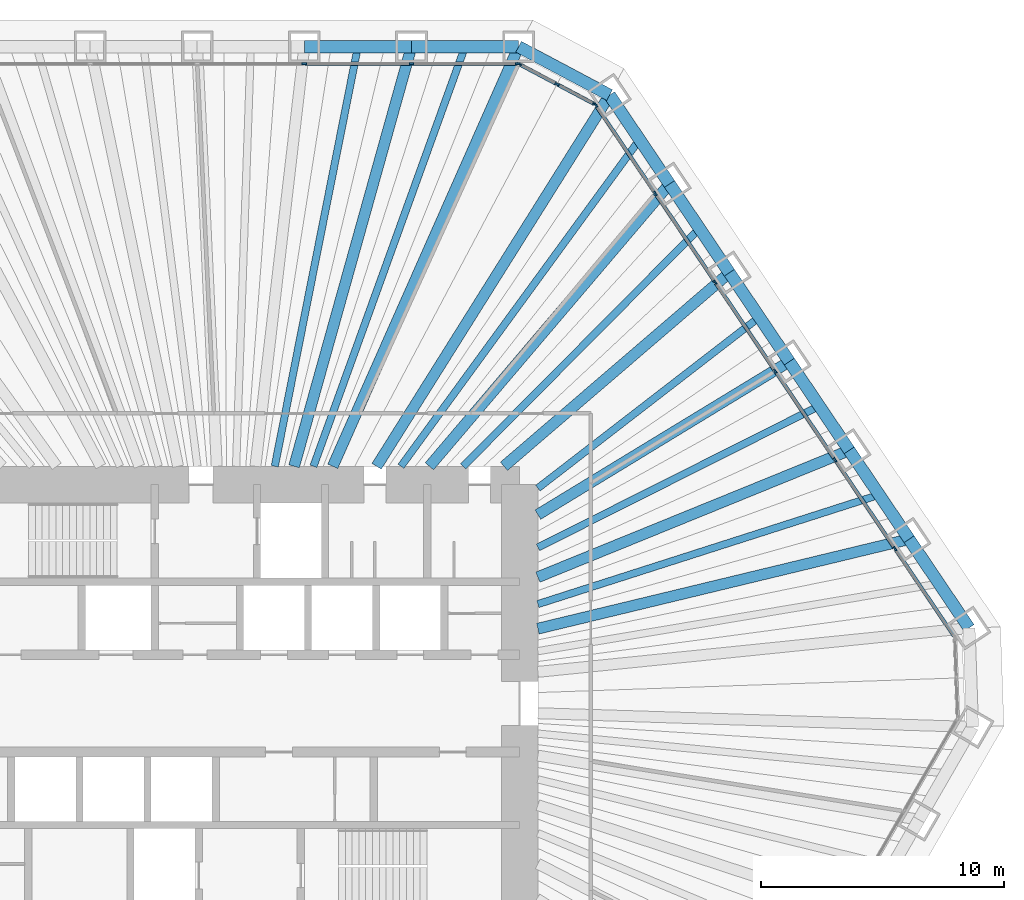
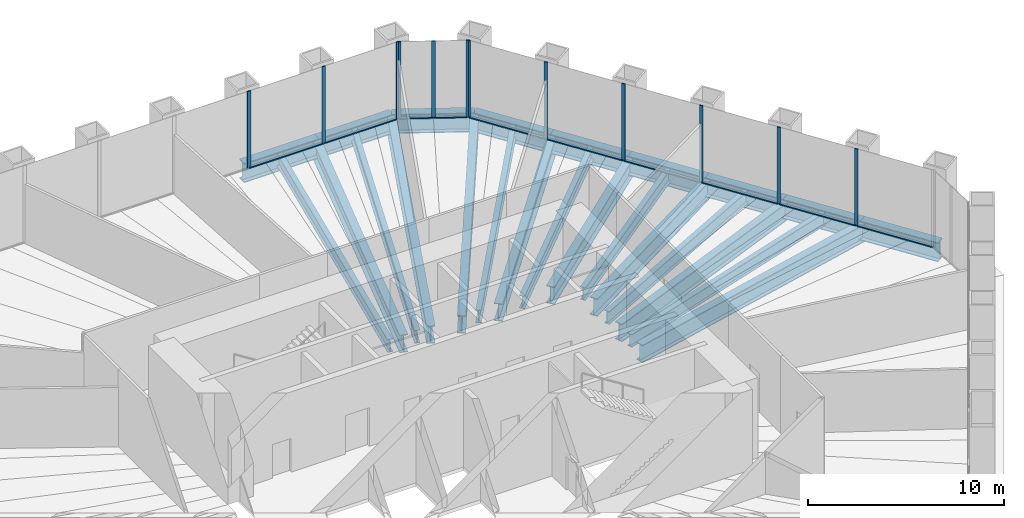
# One storey, part 7 of 14: 24 beams, 22 members, 3 elements without a shape of their own.
"""IFC4 building model written with IfcOpenShell, lengths in metres."""

from ifc_helpers import new_model, si_unit, direction, frame, origin, origin_2d, place, context, subcontext, project, spatial, rectangle, i_section, extrude, material, material_profile, profile_set, type_object, element, aggregate, save


model = new_model("IFC4")

# Units and contexts
model_context = context("Model", 3, precision=1e-05, world=origin(), true_north=direction((0.0, 1.0)))
body_context = subcontext(model_context, "Body", "Model", "MODEL_VIEW")
ifc_project = project(units=[si_unit("LENGTHUNIT", "METRE"), si_unit("AREAUNIT", "SQUARE_METRE"), si_unit("VOLUMEUNIT", "CUBIC_METRE"), si_unit("PLANEANGLEUNIT", "RADIAN"), si_unit("MASSUNIT", "GRAM", prefix="KILO")], contexts=[model_context])

# Site, building, storey
site_placement = place(None, origin())
site = spatial("IfcSite", under=ifc_project, at=site_placement, CompositionType="ELEMENT")
building_placement = place(site_placement, origin())
building = spatial("IfcBuilding", under=site, at=building_placement, Name="Qingtian Harvest Tower", CompositionType="ELEMENT")
storey_placement = place(building_placement, frame((0.0, 0.0, 57.0)))
storey = spatial("IfcBuildingStorey", under=building, at=storey_placement, Name="L11", CompositionType="ELEMENT", Elevation=57.0)

# Beams
ifc_material_1 = material(Name="Steel SM570MC", Category="steel")
ifc_material_profile_1 = material_profile(ifc_material_1, i_section(OverallWidth=0.449951171875, OverallDepth=1.10009765625, WebThickness=0.02197265625, FlangeThickness=0.044921875, at=origin_2d()), Name="H1100x450x22x45")
ifc_profile_set_1 = profile_set([ifc_material_profile_1], Name="Steel SM570MC")
beam_type_1 = type_object("IfcBeamType", Name="Corner floor beam FB8 H1100x450x22x45", PredefinedType="BEAM", material=ifc_profile_set_1)
beam_1_placement = place(storey_placement, frame((11.9560546875, 27.0, -0.75), z_axis=(-0.404898955654, -0.914361436036, 0.0), x_axis=(0.914361436036, -0.404898955654, 0.0)))
element("IfcBeam", 1, at=beam_1_placement, inside=storey, type_object=beam_type_1, Name="Floor beam FB8 N6", PredefinedType="BEAM", context=body_context, shape_type="SweptSolid", body=[
    extrude(i_section(OverallWidth=0.449951171875, OverallDepth=1.10009765625, WebThickness=0.02197265625, FlangeThickness=0.044921875, at=origin_2d()), origin(), (0.0, 0.0, 1.0), 18.86572265625),
])
beam_2_placement = place(storey_placement, frame((15.6982421875, 25.01025390625, -0.75), z_axis=(-0.531622796942, -0.846981228701, 0.0), x_axis=(0.846981228701, -0.531622796942, 0.0)))
element("IfcBeam", 2, at=beam_2_placement, inside=storey, type_object=beam_type_1, Name="Floor beam FB8 NE0", PredefinedType="BEAM", context=body_context, shape_type="SweptSolid", body=[
    extrude(i_section(OverallWidth=0.449951171875, OverallDepth=1.10009765625, WebThickness=0.02197265625, FlangeThickness=0.044921875, at=origin_2d()), origin(), (0.0, 0.0, 1.0), 18.017333984375),
])
ifc_material_2 = material(Name="Steel SM570MC", Category="steel")
ifc_material_profile_2 = material_profile(ifc_material_2, i_section(OverallWidth=0.449951171875, OverallDepth=1.10009765625, WebThickness=0.02197265625, FlangeThickness=0.044921875, at=origin_2d()), Name="H1100x450x22x45")
ifc_profile_set_2 = profile_set([ifc_material_profile_2], Name="Steel SM570MC")
beam_type_2 = type_object("IfcBeamType", Name="Floor beam FB1 H1100x450x22x45", PredefinedType="BEAM", material=ifc_profile_set_2)
beam_3_placement = place(storey_placement, frame((7.551513671875, 27.0, -0.75), z_axis=(-0.269343258019, -0.963044240604, 0.0), x_axis=(0.963044240604, -0.269343258019, 0.0)))
element("IfcBeam", 3, at=beam_3_placement, inside=storey, type_object=beam_type_2, Name="Floor beam FB1 N5", PredefinedType="BEAM", context=body_context, shape_type="SweptSolid", body=[
    extrude(i_section(OverallWidth=0.449951171875, OverallDepth=1.10009765625, WebThickness=0.02197265625, FlangeThickness=0.044921875, at=origin_2d()), origin(), (0.0, 0.0, 1.0), 17.911865234375),
])
beam_4_placement = place(storey_placement, frame((18.1611328125, 21.358642578125, -0.75), z_axis=(-0.647781887327, -0.761825850474, 0.0), x_axis=(0.761825850474, -0.647781887327, 0.0)))
element("IfcBeam", 4, at=beam_4_placement, inside=storey, type_object=beam_type_2, Name="Floor beam FB1 NE1", PredefinedType="BEAM", context=body_context, shape_type="SweptSolid", body=[
    extrude(i_section(OverallWidth=0.449951171875, OverallDepth=1.10009765625, WebThickness=0.02197265625, FlangeThickness=0.044921875, at=origin_2d()), origin(), (0.0, 0.0, 1.0), 15.238037109375),
])
beam_5_placement = place(storey_placement, frame((20.624267578125, 17.70703125, -0.75), z_axis=(-0.75873153072, -0.651403457384, 0.0), x_axis=(0.651403457384, -0.75873153072, 0.0)))
element("IfcBeam", 5, at=beam_5_placement, inside=storey, type_object=beam_type_2, Name="Floor beam FB1 NE2", PredefinedType="BEAM", context=body_context, shape_type="SweptSolid", body=[
    extrude(i_section(OverallWidth=0.449951171875, OverallDepth=1.10009765625, WebThickness=0.02197265625, FlangeThickness=0.044921875, at=origin_2d()), origin(), (0.0, 0.0, 1.0), 12.21533203125),
])
beam_6_placement = place(storey_placement, frame((23.08740234375, 14.0556640625, -0.75), z_axis=(-0.854157261259, -0.520014781558, 0.0), x_axis=(0.520014781558, -0.854157261259, 0.0)))
element("IfcBeam", 6, at=beam_6_placement, inside=storey, type_object=beam_type_2, Name="Floor beam FB1 NE3", PredefinedType="BEAM", context=body_context, shape_type="SweptSolid", body=[
    extrude(i_section(OverallWidth=0.449951171875, OverallDepth=1.10009765625, WebThickness=0.02197265625, FlangeThickness=0.044921875, at=origin_2d()), origin(), (0.0, 0.0, 1.0), 12.1025390625),
])
beam_7_placement = place(storey_placement, frame((25.55029296875, 10.404052734375, -0.75), z_axis=(-0.926156354735, -0.37713977062, 0.0), x_axis=(0.37713977062, -0.926156354735, 0.0)))
element("IfcBeam", 7, at=beam_7_placement, inside=storey, type_object=beam_type_2, Name="Floor beam FB1 NE4", PredefinedType="BEAM", context=body_context, shape_type="SweptSolid", body=[
    extrude(i_section(OverallWidth=0.449951171875, OverallDepth=1.10009765625, WebThickness=0.02197265625, FlangeThickness=0.044921875, at=origin_2d()), origin(), (0.0, 0.0, 1.0), 13.82080078125),
])
beam_8_placement = place(storey_placement, frame((28.013427734375, 6.75244140625, -0.75), z_axis=(-0.972155908389, -0.234334994792, 0.0), x_axis=(0.234334994792, -0.972155908389, 0.0)))
element("IfcBeam", 8, at=beam_8_placement, inside=storey, type_object=beam_type_2, Name="Floor beam FB1 NE5", PredefinedType="BEAM", context=body_context, shape_type="SweptSolid", body=[
    extrude(i_section(OverallWidth=0.449951171875, OverallDepth=1.10009765625, WebThickness=0.02197265625, FlangeThickness=0.044921875, at=origin_2d()), origin(), (0.0, 0.0, 1.0), 15.70068359375),
])
ifc_material_3 = material(Name="Steel SN490B", Category="steel")
ifc_material_profile_3 = material_profile(ifc_material_3, i_section(OverallWidth=0.300048828125, OverallDepth=0.800048828125, WebThickness=0.013916015625, FlangeThickness=0.02587890625, at=origin_2d()), Name="H800x300x14x26")
ifc_profile_set_3 = profile_set([ifc_material_profile_3], Name="Steel SN490B")
beam_type_3 = type_object("IfcBeamType", Name="Floor joist J1 H800x300x14x26", PredefinedType="JOIST", material=ifc_profile_set_3)
beam_9_placement = place(storey_placement, frame((5.349365234375, 27.0, -0.60009765625), z_axis=(-0.19435104803, -0.980932041545, 0.0), x_axis=(0.980932041545, -0.19435104803, 0.0)))
element("IfcBeam", 9, at=beam_9_placement, inside=storey, type_object=beam_type_3, Name="Floor joist J1 N4", PredefinedType="JOIST", context=body_context, shape_type="SweptSolid", body=[
    extrude(i_section(OverallWidth=0.300048828125, OverallDepth=0.800048828125, WebThickness=0.013916015625, FlangeThickness=0.02587890625, at=origin_2d()), origin(), (0.0, 0.0, 1.0), 17.585205078125),
])
beam_10_placement = place(storey_placement, frame((9.75390625, 27.0, -0.60009765625), z_axis=(-0.339766141765, -0.940509951521, 0.0), x_axis=(0.940509951521, -0.339766141765, 0.0)))
element("IfcBeam", 10, at=beam_10_placement, inside=storey, type_object=beam_type_3, Name="Floor joist J1 N5", PredefinedType="JOIST", context=body_context, shape_type="SweptSolid", body=[
    extrude(i_section(OverallWidth=0.300048828125, OverallDepth=0.800048828125, WebThickness=0.013916015625, FlangeThickness=0.02587890625, at=origin_2d()), origin(), (0.0, 0.0, 1.0), 18.341064453125),
])
beam_11_placement = place(storey_placement, frame((16.9296875, 23.1845703125, -0.60009765625), z_axis=(-0.589722175422, -0.80760618857, 0.0), x_axis=(0.80760618857, -0.589722175422, 0.0)))
element("IfcBeam", 11, at=beam_11_placement, inside=storey, type_object=beam_type_3, Name="Floor joist J1 NE0", PredefinedType="JOIST", context=body_context, shape_type="SweptSolid", body=[
    extrude(i_section(OverallWidth=0.300048828125, OverallDepth=0.800048828125, WebThickness=0.013916015625, FlangeThickness=0.02587890625, at=origin_2d()), origin(), (0.0, 0.0, 1.0), 16.635009765625),
])
beam_12_placement = place(storey_placement, frame((19.392822265625, 19.532958984375, -0.60009765625), z_axis=(-0.704560879039, -0.709643549768, 0.0), x_axis=(0.709643549768, -0.704560879039, 0.0)))
element("IfcBeam", 12, at=beam_12_placement, inside=storey, type_object=beam_type_3, Name="Floor joist J1 NE1", PredefinedType="JOIST", context=body_context, shape_type="SweptSolid", body=[
    extrude(i_section(OverallWidth=0.300048828125, OverallDepth=0.800048828125, WebThickness=0.013916015625, FlangeThickness=0.02587890625, at=origin_2d()), origin(), (0.0, 0.0, 1.0), 13.78564453125),
])
beam_13_placement = place(storey_placement, frame((21.855712890625, 15.88134765625, -0.60009765625), z_axis=(-0.79149450594, -0.611176281499, 0.0), x_axis=(0.611176281499, -0.79149450594, 0.0)))
element("IfcBeam", 13, at=beam_13_placement, inside=storey, type_object=beam_type_3, Name="Floor joist J1 NE2", PredefinedType="JOIST", context=body_context, shape_type="SweptSolid", body=[
    extrude(i_section(OverallWidth=0.300048828125, OverallDepth=0.800048828125, WebThickness=0.013916015625, FlangeThickness=0.02587890625, at=origin_2d()), origin(), (0.0, 0.0, 1.0), 11.50439453125),
])
beam_14_placement = place(storey_placement, frame((24.31884765625, 12.229736328125, -0.60009765625), z_axis=(-0.893391632689, -0.449278744924, 0.0), x_axis=(0.449278744924, -0.893391632689, 0.0)))
element("IfcBeam", 14, at=beam_14_placement, inside=storey, type_object=beam_type_3, Name="Floor joist J1 NE3", PredefinedType="JOIST", context=body_context, shape_type="SweptSolid", body=[
    extrude(i_section(OverallWidth=0.300048828125, OverallDepth=0.800048828125, WebThickness=0.013916015625, FlangeThickness=0.02587890625, at=origin_2d()), origin(), (0.0, 0.0, 1.0), 12.949462890625),
])
beam_15_placement = place(storey_placement, frame((26.78173828125, 8.578125, -0.60009765625), z_axis=(-0.952340804978, -0.305036048976, 0.0), x_axis=(0.305036048976, -0.952340804978, 0.0)))
element("IfcBeam", 15, at=beam_15_placement, inside=storey, type_object=beam_type_3, Name="Floor joist J1 NE4", PredefinedType="JOIST", context=body_context, shape_type="SweptSolid", body=[
    extrude(i_section(OverallWidth=0.300048828125, OverallDepth=0.800048828125, WebThickness=0.013916015625, FlangeThickness=0.02587890625, at=origin_2d()), origin(), (0.0, 0.0, 1.0), 14.73388671875),
])

# Curtain wall, members
ifc_material_4 = material(Name="Bronze-anodised aluminium curtain wall", Category="aluminium")
curtain_wall_type = type_object("IfcCurtainWallType", Name="Curtain wall CW2 farm reception", PredefinedType="USERDEFINED", material=ifc_material_4)
curtain_wall_1_placement = place(storey_placement, origin())
curtain_wall_1 = element("IfcCurtainWall", 16, at=curtain_wall_1_placement, inside=storey, type_object=curtain_wall_type, Name="Curtain wall CW2 L11 N0-5", ObjectType="RECESSED CURTAIN WALL", PredefinedType="USERDEFINED")
ifc_material_5 = material(Name="Bronze-anodised aluminium mullion", Category="aluminium")
ifc_material_profile_4 = material_profile(ifc_material_5, rectangle(XDim=0.06494140625, YDim=0.199951171875, at=origin_2d()), Name="AL 65x200")
ifc_profile_set_4 = profile_set([ifc_material_profile_4], Name="Bronze-anodised aluminium mullion")
member_type_1 = type_object("IfcMemberType", Name="Mullion CWM 65x200", PredefinedType="MULLION", material=ifc_profile_set_4)
member_1_placement = place(storey_placement, frame((3.14697265625, 26.300048828125, 0.0), z_axis=(0.0, 0.0, 1.0), x_axis=(0.0, 1.0, 0.0)))
member_1 = element("IfcMember", 17, at=member_1_placement, type_object=member_type_1, Name="CW2 mullion 5", PredefinedType="MULLION", context=body_context, shape_type="SweptSolid", body=[
    extrude(rectangle(XDim=0.06494140625, YDim=0.199951171875, at=origin_2d()), origin(), (0.0, 0.0, 1.0), 4.800048828125),
])
member_2_placement = place(storey_placement, frame((7.551513671875, 26.300048828125, 0.0), z_axis=(0.0, 0.0, 1.0), x_axis=(0.0, 1.0, 0.0)))
member_2 = element("IfcMember", 18, at=member_2_placement, type_object=member_type_1, Name="CW2 mullion 6", PredefinedType="MULLION", context=body_context, shape_type="SweptSolid", body=[
    extrude(rectangle(XDim=0.06494140625, YDim=0.199951171875, at=origin_2d()), origin(), (0.0, 0.0, 1.0), 4.800048828125),
])
member_3_placement = place(storey_placement, frame((11.923583984375, 26.300048828125, 0.0), z_axis=(0.0, 0.0, 1.0), x_axis=(0.0, 1.0, 0.0)))
member_3 = element("IfcMember", 19, at=member_3_placement, type_object=member_type_1, Name="CW2 mullion 7", PredefinedType="MULLION", context=body_context, shape_type="SweptSolid", body=[
    extrude(rectangle(XDim=0.06494140625, YDim=0.199951171875, at=origin_2d()), origin(), (0.0, 0.0, 1.0), 4.800048828125),
])

curtain_wall_2_placement = place(storey_placement, origin())
curtain_wall_2 = element("IfcCurtainWall", 20, at=curtain_wall_2_placement, inside=storey, type_object=curtain_wall_type, Name="Curtain wall CW2 L11 NC", ObjectType="RECESSED CURTAIN WALL", PredefinedType="USERDEFINED")
member_4_placement = place(storey_placement, frame((11.98486328125, 26.28466796875, 0.0), z_axis=(0.0, 0.0, 1.0), x_axis=(0.469471562786, 0.882947592859, 0.0)))
member_4 = element("IfcMember", 21, at=member_4_placement, type_object=member_type_1, Name="CW2 mullion 1", PredefinedType="MULLION", context=body_context, shape_type="SweptSolid", body=[
    extrude(rectangle(XDim=0.06494140625, YDim=0.199951171875, at=origin_2d()), origin(), (0.0, 0.0, 1.0), 4.800048828125),
])
member_5_placement = place(storey_placement, frame((13.537109375, 25.45947265625, 0.0), z_axis=(0.0, 0.0, 1.0), x_axis=(0.469471562786, 0.882947592859, 0.0)))
member_5 = element("IfcMember", 22, at=member_5_placement, type_object=member_type_1, Name="CW2 mullion 2", PredefinedType="MULLION", context=body_context, shape_type="SweptSolid", body=[
    extrude(rectangle(XDim=0.06494140625, YDim=0.199951171875, at=origin_2d()), origin(), (0.0, 0.0, 1.0), 4.800048828125),
])
member_6_placement = place(storey_placement, frame((15.089111328125, 24.634033203125, 0.0), z_axis=(0.0, 0.0, 1.0), x_axis=(0.469471562786, 0.882947592859, 0.0)))
member_6 = element("IfcMember", 23, at=member_6_placement, type_object=member_type_1, Name="CW2 mullion 3", PredefinedType="MULLION", context=body_context, shape_type="SweptSolid", body=[
    extrude(rectangle(XDim=0.06494140625, YDim=0.199951171875, at=origin_2d()), origin(), (0.0, 0.0, 1.0), 4.800048828125),
])

curtain_wall_3_placement = place(storey_placement, origin())
curtain_wall_3 = element("IfcCurtainWall", 24, at=curtain_wall_3_placement, inside=storey, type_object=curtain_wall_type, Name="Curtain wall CW2 L11 NE0-5", ObjectType="RECESSED CURTAIN WALL", PredefinedType="USERDEFINED")
member_7_placement = place(storey_placement, frame((15.135986328125, 24.592041015625, 0.0), z_axis=(0.0, 0.0, 1.0), x_axis=(0.829037572555, 0.559192903471, 0.0)))
member_7 = element("IfcMember", 25, at=member_7_placement, type_object=member_type_1, Name="CW2 mullion 1", PredefinedType="MULLION", context=body_context, shape_type="SweptSolid", body=[
    extrude(rectangle(XDim=0.06494140625, YDim=0.199951171875, at=origin_2d()), origin(), (0.0, 0.0, 1.0), 4.800048828125),
])
member_8_placement = place(storey_placement, frame((17.580810546875, 20.96728515625, 0.0), z_axis=(0.0, 0.0, 1.0), x_axis=(0.829037572555, 0.559192903471, 0.0)))
member_8 = element("IfcMember", 26, at=member_8_placement, type_object=member_type_1, Name="CW2 mullion 2", PredefinedType="MULLION", context=body_context, shape_type="SweptSolid", body=[
    extrude(rectangle(XDim=0.06494140625, YDim=0.199951171875, at=origin_2d()), origin(), (0.0, 0.0, 1.0), 4.800048828125),
])
member_9_placement = place(storey_placement, frame((20.0439453125, 17.315673828125, 0.0), z_axis=(0.0, 0.0, 1.0), x_axis=(0.829037572555, 0.559192903471, 0.0)))
member_9 = element("IfcMember", 27, at=member_9_placement, type_object=member_type_1, Name="CW2 mullion 3", PredefinedType="MULLION", context=body_context, shape_type="SweptSolid", body=[
    extrude(rectangle(XDim=0.06494140625, YDim=0.199951171875, at=origin_2d()), origin(), (0.0, 0.0, 1.0), 4.800048828125),
])
member_10_placement = place(storey_placement, frame((22.507080078125, 13.6640625, 0.0), z_axis=(0.0, 0.0, 1.0), x_axis=(0.829037572555, 0.559192903471, 0.0)))
member_10 = element("IfcMember", 28, at=member_10_placement, type_object=member_type_1, Name="CW2 mullion 4", PredefinedType="MULLION", context=body_context, shape_type="SweptSolid", body=[
    extrude(rectangle(XDim=0.06494140625, YDim=0.199951171875, at=origin_2d()), origin(), (0.0, 0.0, 1.0), 4.800048828125),
])
member_11_placement = place(storey_placement, frame((24.969970703125, 10.012451171875, 0.0), z_axis=(0.0, 0.0, 1.0), x_axis=(0.829037572555, 0.559192903471, 0.0)))
member_11 = element("IfcMember", 29, at=member_11_placement, type_object=member_type_1, Name="CW2 mullion 5", PredefinedType="MULLION", context=body_context, shape_type="SweptSolid", body=[
    extrude(rectangle(XDim=0.06494140625, YDim=0.199951171875, at=origin_2d()), origin(), (0.0, 0.0, 1.0), 4.800048828125),
])
member_12_placement = place(storey_placement, frame((27.43310546875, 6.36083984375, 0.0), z_axis=(0.0, 0.0, 1.0), x_axis=(0.829037572555, 0.559192903471, 0.0)))
member_12 = element("IfcMember", 30, at=member_12_placement, type_object=member_type_1, Name="CW2 mullion 6", PredefinedType="MULLION", context=body_context, shape_type="SweptSolid", body=[
    extrude(rectangle(XDim=0.06494140625, YDim=0.199951171875, at=origin_2d()), origin(), (0.0, 0.0, 1.0), 4.800048828125),
])

# Beams
ifc_material_6 = material(Name="Steel SM570MC", Category="steel")
ifc_material_profile_5 = material_profile(ifc_material_6, i_section(OverallWidth=0.5, OverallDepth=1.199951171875, WebThickness=0.02490234375, FlangeThickness=0.050048828125, at=origin_2d()), Name="H1200x500x25x50")
ifc_profile_set_5 = profile_set([ifc_material_profile_5], Name="Steel SM570MC")
beam_type_4 = type_object("IfcBeamType", Name="Spandrel beam SB1 H1200x500x25x50", PredefinedType="SPANDREL", material=ifc_profile_set_5)
for number, where, z_axis, x_axis, name in (
    (31, (3.14697265625, 27.0, -0.60009765625), (1.0, 0.0, 0.0), (0.0, 1.0, 0.0), "Spandrel SB1 N4"),
    (32, (7.551513671875, 27.0, -0.60009765625), (1.0, 0.0, 0.0), (0.0, 1.0, 0.0), "Spandrel SB1 N5"),
):
    element("IfcBeam", number, at=place(storey_placement, frame(where, z_axis=z_axis, x_axis=x_axis)), inside=storey, type_object=beam_type_4, Name=name, PredefinedType="SPANDREL", context=body_context, shape_type="SweptSolid", body=[
        extrude(i_section(OverallWidth=0.5, OverallDepth=1.199951171875, WebThickness=0.02490234375, FlangeThickness=0.050048828125, at=origin_2d()), origin(), (0.0, 0.0, 1.0), 4.404541015625),
    ])
beam_16_placement = place(storey_placement, frame((11.9560546875, 27.0, -0.60009765625), z_axis=(0.882948599748, -0.469469669099, 0.0), x_axis=(0.469469669099, 0.882948599748, 0.0)))
element("IfcBeam", 33, at=beam_16_placement, inside=storey, type_object=beam_type_4, Name="Spandrel SB1 NC", PredefinedType="SPANDREL", context=body_context, shape_type="SweptSolid", body=[
    extrude(i_section(OverallWidth=0.5, OverallDepth=1.199951171875, WebThickness=0.02490234375, FlangeThickness=0.050048828125, at=origin_2d()), origin(), (0.0, 0.0, 1.0), 4.23828125),
])
beam_17_placement = place(storey_placement, frame((15.6982421875, 25.01025390625, -0.60009765625), z_axis=(0.559169135272, -0.829053603912, 0.0), x_axis=(0.829053603912, 0.559169135272, 0.0)))
element("IfcBeam", 34, at=beam_17_placement, inside=storey, type_object=beam_type_4, Name="Spandrel SB1 NE0", PredefinedType="SPANDREL", context=body_context, shape_type="SweptSolid", body=[
    extrude(i_section(OverallWidth=0.5, OverallDepth=1.199951171875, WebThickness=0.02490234375, FlangeThickness=0.050048828125, at=origin_2d()), origin(), (0.0, 0.0, 1.0), 4.404541015625),
])
beam_18_placement = place(storey_placement, frame((18.1611328125, 21.358642578125, -0.60009765625), z_axis=(0.559207231603, -0.829027907928, 0.0), x_axis=(0.829027907928, 0.559207231603, 0.0)))
element("IfcBeam", 35, at=beam_18_placement, inside=storey, type_object=beam_type_4, Name="Spandrel SB1 NE1", PredefinedType="SPANDREL", context=body_context, shape_type="SweptSolid", body=[
    extrude(i_section(OverallWidth=0.5, OverallDepth=1.199951171875, WebThickness=0.02490234375, FlangeThickness=0.050048828125, at=origin_2d()), origin(), (0.0, 0.0, 1.0), 4.40478515625),
])
for number, where, z_axis, x_axis, name in (
    (36, (20.624267578125, 17.70703125, -0.60009765625), (0.559232928578, -0.829010573874, 0.0), (0.829010573874, 0.559232928578, 0.0), "Spandrel SB1 NE2"),
    (37, (23.08740234375, 14.0556640625, -0.60009765625), (0.559169135272, -0.829053603912, 0.0), (0.829053603912, 0.559169135272, 0.0), "Spandrel SB1 NE3"),
):
    element("IfcBeam", number, at=place(storey_placement, frame(where, z_axis=z_axis, x_axis=x_axis)), inside=storey, type_object=beam_type_4, Name=name, PredefinedType="SPANDREL", context=body_context, shape_type="SweptSolid", body=[
        extrude(i_section(OverallWidth=0.5, OverallDepth=1.199951171875, WebThickness=0.02490234375, FlangeThickness=0.050048828125, at=origin_2d()), origin(), (0.0, 0.0, 1.0), 4.404541015625),
    ])
beam_19_placement = place(storey_placement, frame((25.55029296875, 10.404052734375, -0.60009765625), z_axis=(0.559207231603, -0.829027907928, 0.0), x_axis=(0.829027907928, 0.559207231603, 0.0)))
element("IfcBeam", 38, at=beam_19_placement, inside=storey, type_object=beam_type_4, Name="Spandrel SB1 NE4", PredefinedType="SPANDREL", context=body_context, shape_type="SweptSolid", body=[
    extrude(i_section(OverallWidth=0.5, OverallDepth=1.199951171875, WebThickness=0.02490234375, FlangeThickness=0.050048828125, at=origin_2d()), origin(), (0.0, 0.0, 1.0), 4.40478515625),
])
beam_20_placement = place(storey_placement, frame((28.013427734375, 6.75244140625, -0.60009765625), z_axis=(0.559169135272, -0.829053603912, 0.0), x_axis=(0.829053603912, 0.559169135272, 0.0)))
element("IfcBeam", 39, at=beam_20_placement, inside=storey, type_object=beam_type_4, Name="Spandrel SB1 NE5", PredefinedType="SPANDREL", context=body_context, shape_type="SweptSolid", body=[
    extrude(i_section(OverallWidth=0.5, OverallDepth=1.199951171875, WebThickness=0.02490234375, FlangeThickness=0.050048828125, at=origin_2d()), origin(), (0.0, 0.0, 1.0), 4.404541015625),
])

# Member
ifc_material_7 = material(Name="Bronze-anodised aluminium transom", Category="aluminium")
ifc_material_profile_6 = material_profile(ifc_material_7, rectangle(XDim=0.14990234375, YDim=0.06494140625, at=origin_2d()), Name="AL 65x150")
ifc_profile_set_6 = profile_set([ifc_material_profile_6], Name="Bronze-anodised aluminium transom")
member_type_2 = type_object("IfcMemberType", Name="Transom CWT 65x150", PredefinedType="USERDEFINED", material=ifc_profile_set_6)
member_13_placement = place(storey_placement, frame((3.179443359375, 26.300048828125, 0.032470703125), z_axis=(1.0, 0.0, 0.0), x_axis=(0.0, 1.0, 0.0)))
member_13 = element("IfcMember", 40, at=member_13_placement, type_object=member_type_2, Name="CW2 transom 5.1", ObjectType="TRANSOM", PredefinedType="USERDEFINED", context=body_context, shape_type="SweptSolid", body=[
    extrude(rectangle(XDim=0.14990234375, YDim=0.06494140625, at=origin_2d()), origin(), (0.0, 0.0, 1.0), 4.339599609375),
])

member_14_placement = place(storey_placement, frame((7.583984375, 26.300048828125, 0.032470703125), z_axis=(1.0, 0.0, 0.0), x_axis=(0.0, 1.0, 0.0)))
member_14 = element("IfcMember", 41, at=member_14_placement, type_object=member_type_2, Name="CW2 transom 6.1", ObjectType="TRANSOM", PredefinedType="USERDEFINED", context=body_context, shape_type="SweptSolid", body=[
    extrude(rectangle(XDim=0.14990234375, YDim=0.06494140625, at=origin_2d()), origin(), (0.0, 0.0, 1.0), 4.30712890625),
])

aggregate(curtain_wall_1, [member_1, member_2, member_3, member_13, member_14])

member_15_placement = place(storey_placement, frame((12.013427734375, 26.26953125, 0.032470703125), z_axis=(0.882927080927, -0.469510138086, 0.0), x_axis=(0.469510138086, 0.882927080927, 0.0)))
member_15 = element("IfcMember", 42, at=member_15_placement, type_object=member_type_2, Name="CW2 transom 1.1", ObjectType="TRANSOM", PredefinedType="USERDEFINED", context=body_context, shape_type="SweptSolid", body=[
    extrude(rectangle(XDim=0.14990234375, YDim=0.06494140625, at=origin_2d()), origin(), (0.0, 0.0, 1.0), 1.693115234375),
])

member_16_placement = place(storey_placement, frame((13.565673828125, 25.444091796875, 0.032470703125), z_axis=(0.882986854304, -0.469397715297, 0.0), x_axis=(0.469397715297, 0.882986854304, 0.0)))
member_16 = element("IfcMember", 43, at=member_16_placement, type_object=member_type_2, Name="CW2 transom 2.1", ObjectType="TRANSOM", PredefinedType="USERDEFINED", context=body_context, shape_type="SweptSolid", body=[
    extrude(rectangle(XDim=0.14990234375, YDim=0.06494140625, at=origin_2d()), origin(), (0.0, 0.0, 1.0), 1.69287109375),
])

aggregate(curtain_wall_2, [member_4, member_5, member_6, member_15, member_16])

member_17_placement = place(storey_placement, frame((15.154296875, 24.56494140625, 0.032470703125), z_axis=(0.559178817275, -0.82904707364, 0.0), x_axis=(0.82904707364, 0.559178817275, 0.0)))
member_17 = element("IfcMember", 44, at=member_17_placement, type_object=member_type_2, Name="CW2 transom 1.1", ObjectType="TRANSOM", PredefinedType="USERDEFINED", context=body_context, shape_type="SweptSolid", body=[
    extrude(rectangle(XDim=0.14990234375, YDim=0.06494140625, at=origin_2d()), origin(), (0.0, 0.0, 1.0), 4.30712890625),
])

member_18_placement = place(storey_placement, frame((17.59912109375, 20.9404296875, 0.032470703125), z_axis=(0.559210013199, -0.82902603164, 0.0), x_axis=(0.82902603164, 0.559210013199, 0.0)))
member_18 = element("IfcMember", 45, at=member_18_placement, type_object=member_type_2, Name="CW2 transom 2.1", ObjectType="TRANSOM", PredefinedType="USERDEFINED", context=body_context, shape_type="SweptSolid", body=[
    extrude(rectangle(XDim=0.14990234375, YDim=0.06494140625, at=origin_2d()), origin(), (0.0, 0.0, 1.0), 4.339599609375),
])

member_19_placement = place(storey_placement, frame((20.06201171875, 17.288818359375, 0.032470703125), z_axis=(0.559210013199, -0.82902603164, 0.0), x_axis=(0.82902603164, 0.559210013199, 0.0)))
member_19 = element("IfcMember", 46, at=member_19_placement, type_object=member_type_2, Name="CW2 transom 3.1", ObjectType="TRANSOM", PredefinedType="USERDEFINED", context=body_context, shape_type="SweptSolid", body=[
    extrude(rectangle(XDim=0.14990234375, YDim=0.06494140625, at=origin_2d()), origin(), (0.0, 0.0, 1.0), 4.339599609375),
])

member_20_placement = place(storey_placement, frame((22.525146484375, 13.63720703125, 0.032470703125), z_axis=(0.559210013199, -0.82902603164, 0.0), x_axis=(0.82902603164, 0.559210013199, 0.0)))
member_20 = element("IfcMember", 47, at=member_20_placement, type_object=member_type_2, Name="CW2 transom 4.1", ObjectType="TRANSOM", PredefinedType="USERDEFINED", context=body_context, shape_type="SweptSolid", body=[
    extrude(rectangle(XDim=0.14990234375, YDim=0.06494140625, at=origin_2d()), origin(), (0.0, 0.0, 1.0), 4.339599609375),
])

member_21_placement = place(storey_placement, frame((24.98828125, 9.985595703125, 0.032470703125), z_axis=(0.559171345763, -0.829052113005, 0.0), x_axis=(0.829052113005, 0.559171345763, 0.0)))
member_21 = element("IfcMember", 48, at=member_21_placement, type_object=member_type_2, Name="CW2 transom 5.1", ObjectType="TRANSOM", PredefinedType="USERDEFINED", context=body_context, shape_type="SweptSolid", body=[
    extrude(rectangle(XDim=0.14990234375, YDim=0.06494140625, at=origin_2d()), origin(), (0.0, 0.0, 1.0), 4.339599609375),
])

member_22_placement = place(storey_placement, frame((27.451171875, 6.333984375, 0.032470703125), z_axis=(0.559178817275, -0.82904707364, 0.0), x_axis=(0.82904707364, 0.559178817275, 0.0)))
member_22 = element("IfcMember", 49, at=member_22_placement, type_object=member_type_2, Name="CW2 transom 6.1", ObjectType="TRANSOM", PredefinedType="USERDEFINED", context=body_context, shape_type="SweptSolid", body=[
    extrude(rectangle(XDim=0.14990234375, YDim=0.06494140625, at=origin_2d()), origin(), (0.0, 0.0, 1.0), 4.30712890625),
])

aggregate(curtain_wall_3, [member_7, member_8, member_9, member_10, member_11, member_12, member_17, member_18, member_19, member_20, member_21, member_22])

save(model, "model.ifc")
